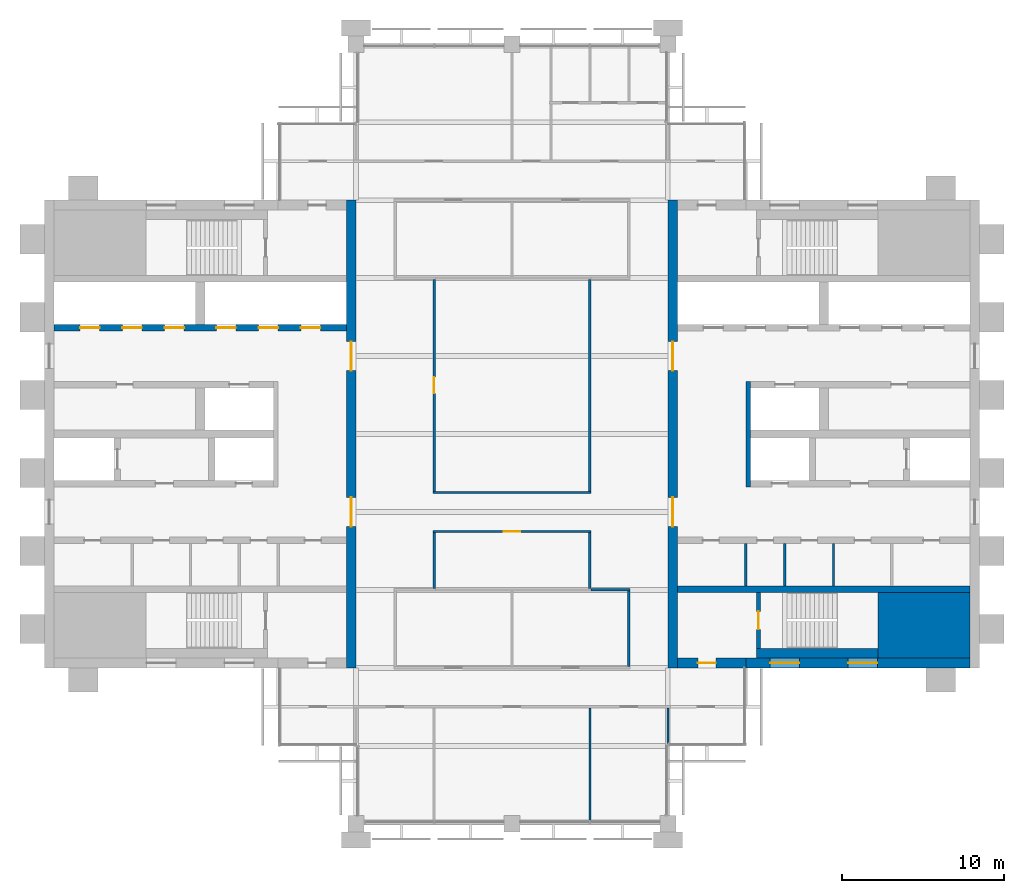
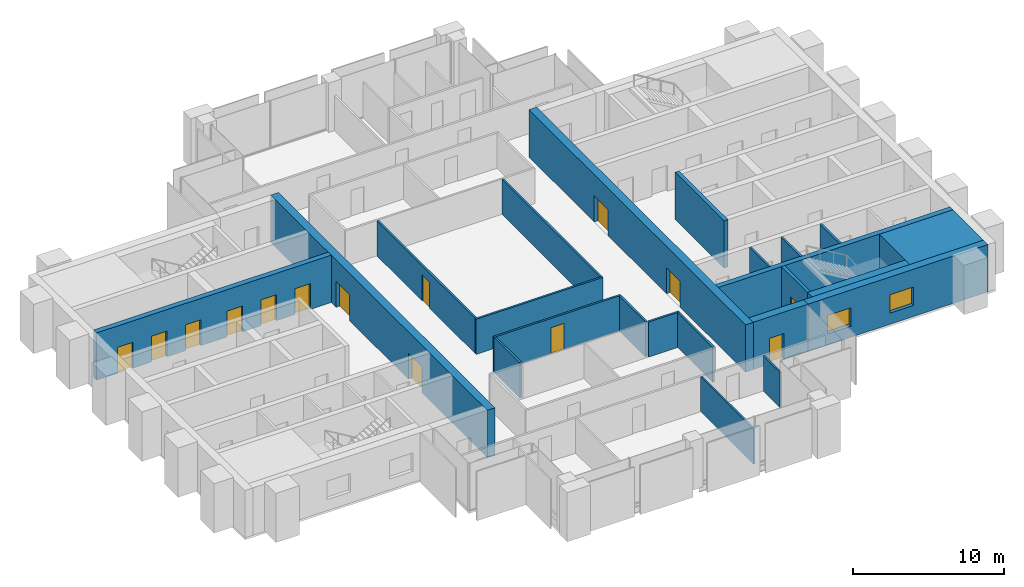
# One storey, part 9 of 13: 23 walls, 14 doors, 2 windows, 16 openings.
"""IFC4 building model written with IfcOpenShell, lengths in metres."""

import ifcopenshell
import ifcopenshell.guid

model = None  # the IFC model being written
_history = None  # IfcOwnerHistory: only IFC2X3 demands one
_inside = {}  # id of a spatial element -> (the spatial element, [elements in it])
_under = {}  # id of a project, library or spatial element -> (it, [spatial elements below it])
_declared = {}  # id of a project -> (the project, [libraries it declares])
_typed = {}  # id of a type object -> (the type object, [elements of that type])
_made_of = {}  # id of a material, layer set ... -> (it, [elements and type objects made of it])


def new_model(schema):
    """Start an empty IFC model of exactly this schema.

    Asked for "IFC4X3", IfcOpenShell would pick the latest addendum, in which some entities
    have other attributes; the version numbers below select the first issue.
    IFC2X3 requires an IfcOwnerHistory on every rooted entity: one is made here for all.
    """
    global model, _history
    if schema == "IFC4X3":
        model = ifcopenshell.file(schema_version=(4, 3, 0, 0))
    else:
        model = ifcopenshell.file(schema=schema)
    _inside.clear()
    _under.clear()
    _declared.clear()
    _typed.clear()
    _made_of.clear()
    _history = None
    if model.schema == "IFC2X3":
        org = make("IfcOrganization", Name="unknown")
        user = make(
            "IfcPersonAndOrganization",
            ThePerson=make("IfcPerson", FamilyName="unknown"),
            TheOrganization=org,
        )
        app = make(
            "IfcApplication",
            ApplicationDeveloper=org,
            Version="unknown",
            ApplicationFullName="unknown",
            ApplicationIdentifier="unknown",
        )
        _history = make(
            "IfcOwnerHistory",
            OwningUser=user,
            OwningApplication=app,
            ChangeAction="ADDED",
            CreationDate=0,
        )
    return model


def make(cls, **values):
    """One entity of the class cls with the attributes given. An attribute that is None is left unset."""
    return model.create_entity(
        cls, **{name: value for name, value in values.items() if value is not None}
    )


def rooted(cls, **values):
    """An entity with a GlobalId (a new one), such as an element, a storey or a relation."""
    return make(cls, GlobalId=ifcopenshell.guid.new(), OwnerHistory=_history, **values)


def si_unit(unit_type, name, prefix=None):
    """IfcSIUnit, for example si_unit("LENGTHUNIT", "METRE", prefix="MILLI")."""
    return make("IfcSIUnit", UnitType=unit_type, Prefix=prefix, Name=name)


def assignment(units):
    """IfcUnitAssignment: the units of a project."""
    return None if units is None else make("IfcUnitAssignment", Units=units)


def point(xyz):
    """IfcCartesianPoint."""
    return None if xyz is None else make("IfcCartesianPoint", Coordinates=xyz)


def direction(xyz):
    """IfcDirection."""
    return None if xyz is None else make("IfcDirection", DirectionRatios=xyz)


def frame(location, z_axis=None, x_axis=None):
    """IfcAxis2Placement3D, a coordinate frame: its origin and axes. An axis left out is left unset."""
    return make(
        "IfcAxis2Placement3D",
        Location=point(location),
        Axis=direction(z_axis),
        RefDirection=direction(x_axis),
    )


def frame_2d(location, x_axis=None):
    """IfcAxis2Placement2D, a coordinate frame in the plane: its origin and x axis."""
    return make(
        "IfcAxis2Placement2D", Location=point(location), RefDirection=direction(x_axis)
    )


def origin():
    """The frame at (0, 0, 0) with its axes left unset."""
    return frame((0.0, 0.0, 0.0))


def place(relative_to, where):
    """IfcLocalPlacement: puts the frame where relative to a parent placement (None: the world)."""
    return make(
        "IfcLocalPlacement", PlacementRelTo=relative_to, RelativePlacement=where
    )


def context(
    kind, dimensions, precision=None, world=None, true_north=None, identifier=None
):
    """IfcGeometricRepresentationContext, for example the 3D "Model" context."""
    return make(
        "IfcGeometricRepresentationContext",
        ContextIdentifier=identifier,
        ContextType=kind,
        CoordinateSpaceDimension=dimensions,
        Precision=precision,
        WorldCoordinateSystem=world,
        TrueNorth=true_north,
    )


def subcontext(parent, identifier, kind, view, scale=None):
    """IfcGeometricRepresentationSubContext, for example "Body" below "Model"."""
    return make(
        "IfcGeometricRepresentationSubContext",
        ContextIdentifier=identifier,
        ContextType=kind,
        ParentContext=parent,
        TargetScale=scale,
        TargetView=view,
    )


def project(units=None, contexts=None):
    """IfcProject with its units and contexts."""
    return rooted(
        "IfcProject",
        Name="project",
        RepresentationContexts=contexts,
        UnitsInContext=assignment(units),
    )


def spatial(cls, under=None, at=None, **own):
    """A site, building, storey or space (cls), placed at a placement, below another one or the project."""
    s = rooted(cls, ObjectPlacement=at, **own)
    if under is not None:
        _under.setdefault(under.id(), (under, []))[1].append(s)
    return s


def profile(cls, at=None, kind="AREA", **sizes):
    """A parametric profile (cls). Its sizes go by their IFC names, for example OverallWidth=200.0."""
    return make(cls, ProfileType=kind, Position=at, **sizes)


def rectangle(**sizes):
    """IfcRectangleProfileDef."""
    return profile("IfcRectangleProfileDef", **sizes)


def extrude(swept, where, along, depth):
    """IfcExtrudedAreaSolid: the profile swept, set in the frame where, extruded along a direction by depth."""
    return make(
        "IfcExtrudedAreaSolid",
        SweptArea=swept,
        Position=where,
        ExtrudedDirection=direction(along),
        Depth=depth,
    )


def shape(context_of_items, identifier, shape_type, items):
    """IfcShapeRepresentation: the items that make up one representation, for example the "Body"."""
    return make(
        "IfcShapeRepresentation",
        ContextOfItems=context_of_items,
        RepresentationIdentifier=identifier,
        RepresentationType=shape_type,
        Items=items,
    )


def material(Name=None, Category=None):
    """IfcMaterial."""
    return make("IfcMaterial", Name=Name, Category=Category)


def layer(
    of_material, thickness, ventilated=None, Name=None, Category=None, Priority=None
):
    """IfcMaterialLayer: one layer of a wall or slab, of a material (None: an air gap)."""
    return make(
        "IfcMaterialLayer",
        Material=of_material,
        LayerThickness=thickness,
        IsVentilated=ventilated,
        Name=Name,
        Category=Category,
        Priority=Priority,
    )


def layer_set(layers, Name=None):
    """IfcMaterialLayerSet."""
    return make("IfcMaterialLayerSet", MaterialLayers=layers, LayerSetName=Name)


def made_of(thing, what):
    """Note that an element or type object is made of a material, layer set ...; save() writes the relation."""
    if what is not None:
        _made_of.setdefault(what.id(), (what, []))[1].append(thing)
    return thing


def type_object(cls, material=None, **own):
    """A type object (cls), such as IfcWallType, which elements share."""
    return made_of(rooted(cls, **own), material)


def element(
    cls,
    number,
    at=None,
    inside=None,
    cuts=None,
    type_object=None,
    material=None,
    context=None,
    identifier="Body",
    shape_type=None,
    held_by="IfcProductDefinitionShape",
    body=None,
    shapes=None,
    **own,
):
    """One element of the class cls, such as IfcWall. Its Tag is "e" and its number.

    at: its placement. inside: the storey or other place that contains it. cuts: it is an
    opening in that element (IfcRelVoidsElement). A single representation is given by context,
    identifier, shape_type and body (its items); several are given by shapes. held_by: the class
    of the entity that holds the representations. save() writes the other relations.
    """
    e = rooted(cls, Tag="e%d" % number, ObjectPlacement=at, **own)
    if body is not None:
        shapes = [shape(context, identifier, shape_type, body)]
    if shapes is not None:
        e.Representation = make(held_by, Representations=shapes)
    if inside is not None:
        _inside.setdefault(inside.id(), (inside, []))[1].append(e)
    if cuts is not None:
        rooted(
            "IfcRelVoidsElement", RelatingBuildingElement=cuts, RelatedOpeningElement=e
        )
    if type_object is not None:
        _typed.setdefault(type_object.id(), (type_object, []))[1].append(e)
    return made_of(e, material)


def fill(opening, filler):
    """IfcRelFillsElement: the door or window that sits in an opening."""
    return rooted(
        "IfcRelFillsElement",
        RelatingOpeningElement=opening,
        RelatedBuildingElement=filler,
    )


def aggregate(whole, parts):
    """IfcRelAggregates: a whole, such as a stair, and the parts it consists of."""
    return rooted("IfcRelAggregates", RelatingObject=whole, RelatedObjects=parts)


def save(model, path):
    """Write the relations noted so far, then the file.

    IfcRelAggregates (storeys below a building ...), IfcRelContainedInSpatialStructure (elements
    in a storey), IfcRelDefinesByType, IfcRelAssociatesMaterial and IfcRelDeclares: one each for
    every whole, place, type object, material and project.
    """
    for whole, parts in _under.values():
        aggregate(whole, parts)
    for where, things in _inside.values():
        rooted(
            "IfcRelContainedInSpatialStructure",
            RelatedElements=things,
            RelatingStructure=where,
        )
    for kind, things in _typed.values():
        rooted("IfcRelDefinesByType", RelatedObjects=things, RelatingType=kind)
    for what, things in _made_of.values():
        rooted("IfcRelAssociatesMaterial", RelatedObjects=things, RelatingMaterial=what)
    for by, libraries in _declared.values():
        rooted("IfcRelDeclares", RelatingContext=by, RelatedDefinitions=libraries)
    model.write(path)


model = new_model("IFC4")

# Units and contexts
model_context = context("Model", 3, precision=1e-05, world=origin(), true_north=direction((0.0, 1.0)))
body_context = subcontext(model_context, "Body", "Model", "MODEL_VIEW")
ifc_project = project(units=[si_unit("LENGTHUNIT", "METRE"), si_unit("AREAUNIT", "SQUARE_METRE"), si_unit("VOLUMEUNIT", "CUBIC_METRE"), si_unit("PLANEANGLEUNIT", "RADIAN"), si_unit("MASSUNIT", "GRAM", prefix="KILO")], contexts=[model_context])

# Site, building, storey
site_placement = place(None, origin())
site = spatial("IfcSite", under=ifc_project, at=site_placement, CompositionType="ELEMENT")
building_placement = place(site_placement, origin())
building = spatial("IfcBuilding", under=site, at=building_placement, Name="Baori Bourse Tower", CompositionType="ELEMENT")
storey_placement = place(building_placement, frame((0.0, 0.0, 334.300048828125)))
storey = spatial("IfcBuildingStorey", under=building, at=storey_placement, Name="L74", CompositionType="ELEMENT", Elevation=334.300048828125)

# Walls
ifc_material_1 = material(Name="Concrete f'c 40 MPa", Category="concrete")
wall_type_1 = type_object("IfcWallType", Name="Core corner block f'c 40", PredefinedType="SHEAR", material=ifc_material_1)
wall_1_placement = place(storey_placement, frame((51.35009765625, 12.22509765625, 0.0), z_axis=(0.0, 0.0, 1.0), x_axis=(1.0, 0.0, 0.0)))
element("IfcWall", 1, at=wall_1_placement, inside=storey, type_object=wall_type_1, Name="Core wall E05", PredefinedType="SHEAR", context=body_context, shape_type="SweptSolid", body=[
    extrude(rectangle(XDim=5.64990234375, YDim=4.050048828125, at=frame_2d((2.824951171875, 0.0))), origin(), (0.0, 0.0, 1.0), 3.83984375),
])
ifc_material_2 = material(Name="Blockwork partition", Category="masonry")
ifc_layer_1 = layer(ifc_material_2, 0.14990234375)
ifc_layer_set_1 = layer_set([ifc_layer_1], Name="Core partition 150")
wall_type_2 = type_object("IfcWallType", Name="Core partition 150", PredefinedType="PARTITIONING", material=ifc_layer_set_1)
for number, where, z_axis, x_axis, name in (
    (2, (48.60009765625, 14.64990234375, 0.0), (0.0, 0.0, 1.0), (0.0, 1.0, 0.0), "Partition wall E10"),
    (3, (45.60009765625, 14.64990234375, 0.0), (0.0, 0.0, 1.0), (0.0, 1.0, 0.0), "Partition wall E11"),
    (4, (43.199951171875, 14.64990234375, 0.0), (0.0, 0.0, 1.0), (0.0, 1.0, 0.0), "Partition wall E12"),
):
    element("IfcWall", number, at=place(storey_placement, frame(where, z_axis=z_axis, x_axis=x_axis)), inside=storey, type_object=wall_type_2, Name=name, PredefinedType="PARTITIONING", context=body_context, shape_type="SweptSolid", body=[
        extrude(rectangle(XDim=2.60009765625, YDim=0.14990234375, at=frame_2d((1.300048828125, 0.0))), origin(), (0.0, 0.0, 1.0), 3.83984375),
    ])

# Wall, openings, doors
ifc_material_3 = material(Name="Concrete f'c 40 MPa", Category="concrete")
ifc_layer_2 = layer(ifc_material_3, 0.60009765625)
ifc_layer_set_2 = layer_set([ifc_layer_2], Name="Core wall 600 f'c 40")
wall_type_3 = type_object("IfcWallType", Name="Core wall 600 f'c 40", PredefinedType="SHEAR", material=ifc_layer_set_2)
wall_2_placement = place(storey_placement, frame((18.89990234375, 38.39990234375, 0.0), z_axis=(0.0, 0.0, 1.0), x_axis=(0.0, -1.0, 0.0)))
wall_2 = element("IfcWall", 5, at=wall_2_placement, inside=storey, type_object=wall_type_3, Name="Core wall W04", PredefinedType="SHEAR", context=body_context, shape_type="SweptSolid", body=[
    extrude(rectangle(XDim=28.7998046875, YDim=0.60009765625, at=frame_2d((14.39990234375, 0.0))), origin(), (0.0, 0.0, 1.0), 3.83984375),
])
opening_1_placement = place(wall_2_placement, frame((18.300048828125, 0.0, 0.0)))
opening_1 = element("IfcOpeningElement", 6, at=opening_1_placement, cuts=wall_2, Name="Opening L74-D107", PredefinedType="OPENING", context=body_context, shape_type="SweptSolid", body=[
    extrude(rectangle(XDim=1.800048828125, YDim=2.10009765625, at=frame_2d((0.89990234375, 1.050048828125))), frame((0.0, 0.31005859375, 0.0), z_axis=(0.0, -1.0, 0.0), x_axis=(1.0, 0.0, 0.0)), (0.0, 0.0, 1.0), 0.6201171875),
])
opening_2_placement = place(wall_2_placement, frame((8.699951171875, 0.0, 0.0)))
opening_2 = element("IfcOpeningElement", 7, at=opening_2_placement, cuts=wall_2, Name="Opening L74-D108", PredefinedType="OPENING", context=body_context, shape_type="SweptSolid", body=[
    extrude(rectangle(XDim=1.800048828125, YDim=2.10009765625, at=frame_2d((0.89990234375, 1.050048828125))), frame((0.0, 0.31005859375, 0.0), z_axis=(0.0, -1.0, 0.0), x_axis=(1.0, 0.0, 0.0)), (0.0, 0.0, 1.0), 0.6201171875),
])
ifc_material_4 = material(Name="Painted steel door", Category="steel")
door_type_1 = type_object("IfcDoorType", Name="Core lobby door 1800", OperationType="DOUBLE_DOOR_SINGLE_SWING", PredefinedType="DOOR", material=ifc_material_4)
door_1_placement = place(opening_1_placement, origin())
door_1 = element("IfcDoor", 8, at=door_1_placement, inside=storey, type_object=door_type_1, Name="Lobby door W L74", OperationType="DOUBLE_DOOR_SINGLE_SWING", OverallHeight=2.10009765625, OverallWidth=1.800048828125, PredefinedType="DOOR", context=body_context, shape_type="SweptSolid", body=[
    extrude(rectangle(XDim=1.800048828125, YDim=2.10009765625, at=frame_2d((0.89990234375, 1.050048828125))), frame((0.0, 0.02490234375, 0.0), z_axis=(0.0, -1.0, 0.0), x_axis=(1.0, 0.0, 0.0)), (0.0, 0.0, 1.0), 0.050048828125),
])
fill(opening_1, door_1)
door_2_placement = place(opening_2_placement, origin())
door_2 = element("IfcDoor", 9, at=door_2_placement, inside=storey, type_object=door_type_1, Name="Lobby door W L74", OperationType="DOUBLE_DOOR_SINGLE_SWING", OverallHeight=2.10009765625, OverallWidth=1.800048828125, PredefinedType="DOOR", context=body_context, shape_type="SweptSolid", body=[
    extrude(rectangle(XDim=1.800048828125, YDim=2.10009765625, at=frame_2d((0.89990234375, 1.050048828125))), frame((0.0, 0.02490234375, 0.0), z_axis=(0.0, -1.0, 0.0), x_axis=(1.0, 0.0, 0.0)), (0.0, 0.0, 1.0), 0.050048828125),
])
fill(opening_2, door_2)

# Wall, openings, windows
wall_3_placement = place(storey_placement, frame((57.0, 9.89990234375, 0.0), z_axis=(0.0, 0.0, 1.0), x_axis=(-1.0, 0.0, 0.0)))
wall_3 = element("IfcWall", 10, at=wall_3_placement, inside=storey, type_object=wall_type_3, Name="Core wall E02", PredefinedType="SHEAR", context=body_context, shape_type="SweptSolid", body=[
    extrude(rectangle(XDim=13.800048828125, YDim=0.60009765625, at=frame_2d((6.89990234375, 0.0))), origin(), (0.0, 0.0, 1.0), 3.83984375),
])
opening_3_placement = place(wall_3_placement, frame((5.699951171875, 0.0, 0.89990234375)))
opening_3 = element("IfcOpeningElement", 11, at=opening_3_placement, cuts=wall_3, Name="Opening L74-KW203", PredefinedType="OPENING", context=body_context, shape_type="SweptSolid", body=[
    extrude(rectangle(XDim=1.800048828125, YDim=1.5, at=frame_2d((0.89990234375, 0.75))), frame((0.0, 0.31005859375, 0.0), z_axis=(0.0, -1.0, 0.0), x_axis=(1.0, 0.0, 0.0)), (0.0, 0.0, 1.0), 0.6201171875),
])
opening_4_placement = place(wall_3_placement, frame((10.5, 0.0, 0.89990234375)))
opening_4 = element("IfcOpeningElement", 12, at=opening_4_placement, cuts=wall_3, Name="Opening L74-KW204", PredefinedType="OPENING", context=body_context, shape_type="SweptSolid", body=[
    extrude(rectangle(XDim=1.800048828125, YDim=1.5, at=frame_2d((0.89990234375, 0.75))), frame((0.0, 0.31005859375, 0.0), z_axis=(0.0, -1.0, 0.0), x_axis=(1.0, 0.0, 0.0)), (0.0, 0.0, 1.0), 0.6201171875),
])
ifc_material_5 = material(Name="Pale anodised aluminium", Category="aluminium")
window_type = type_object("IfcWindowType", Name="Stair window 1800 x 1500", PartitioningType="SINGLE_PANEL", PredefinedType="WINDOW", material=ifc_material_5)
window_1_placement = place(opening_3_placement, origin())
window_1 = element("IfcWindow", 13, at=window_1_placement, inside=storey, type_object=window_type, Name="Stair window E L74 3", OverallHeight=1.5, OverallWidth=1.800048828125, PartitioningType="SINGLE_PANEL", PredefinedType="WINDOW", context=body_context, shape_type="SweptSolid", body=[
    extrude(rectangle(XDim=1.800048828125, YDim=1.5, at=frame_2d((0.89990234375, 0.75))), frame((0.0, 0.030029296875, 0.0), z_axis=(0.0, -1.0, 0.0), x_axis=(1.0, 0.0, 0.0)), (0.0, 0.0, 1.0), 0.06005859375),
])
fill(opening_3, window_1)
window_2_placement = place(opening_4_placement, origin())
window_2 = element("IfcWindow", 14, at=window_2_placement, inside=storey, type_object=window_type, Name="Stair window E L74 4", OverallHeight=1.5, OverallWidth=1.800048828125, PartitioningType="SINGLE_PANEL", PredefinedType="WINDOW", context=body_context, shape_type="SweptSolid", body=[
    extrude(rectangle(XDim=1.800048828125, YDim=1.5, at=frame_2d((0.89990234375, 0.75))), frame((0.0, 0.030029296875, 0.0), z_axis=(0.0, -1.0, 0.0), x_axis=(1.0, 0.0, 0.0)), (0.0, 0.0, 1.0), 0.06005859375),
])
fill(opening_4, window_2)

# Wall, opening, door
wall_4_placement = place(storey_placement, frame((43.199951171875, 9.89990234375, 0.0), z_axis=(0.0, 0.0, 1.0), x_axis=(-1.0, 0.0, 0.0)))
wall_4 = element("IfcWall", 15, at=wall_4_placement, inside=storey, type_object=wall_type_3, Name="Core wall E03", PredefinedType="SHEAR", context=body_context, shape_type="SweptSolid", body=[
    extrude(rectangle(XDim=4.199951171875, YDim=0.60009765625, at=frame_2d((2.10009765625, 0.0))), origin(), (0.0, 0.0, 1.0), 3.83984375),
])
opening_5_placement = place(wall_4_placement, frame((1.85009765625, 0.0, 0.0)))
opening_5 = element("IfcOpeningElement", 16, at=opening_5_placement, cuts=wall_4, Name="Opening L74-D202", PredefinedType="OPENING", context=body_context, shape_type="SweptSolid", body=[
    extrude(rectangle(XDim=1.10009765625, YDim=2.10009765625, at=frame_2d((0.550048828125, 1.050048828125))), frame((0.0, 0.31005859375, 0.0), z_axis=(0.0, -1.0, 0.0), x_axis=(1.0, 0.0, 0.0)), (0.0, 0.0, 1.0), 0.6201171875),
])
ifc_material_6 = material(Name="Painted steel door", Category="steel")
door_type_2 = type_object("IfcDoorType", Name="Stair door 1100", OperationType="SINGLE_SWING_LEFT", PredefinedType="DOOR", material=ifc_material_6)
door_3_placement = place(opening_5_placement, origin())
door_3 = element("IfcDoor", 17, at=door_3_placement, inside=storey, type_object=door_type_2, Name="Stair vestibule door A E L74", OperationType="SINGLE_SWING_LEFT", OverallHeight=2.10009765625, OverallWidth=1.10009765625, PredefinedType="DOOR", context=body_context, shape_type="SweptSolid", body=[
    extrude(rectangle(XDim=1.10009765625, YDim=2.10009765625, at=frame_2d((0.550048828125, 1.050048828125))), frame((0.0, 0.02490234375, 0.0), z_axis=(0.0, -1.0, 0.0), x_axis=(1.0, 0.0, 0.0)), (0.0, 0.0, 1.0), 0.050048828125),
])
fill(opening_5, door_3)

# Wall, openings, doors
wall_5_placement = place(storey_placement, frame((38.699951171875, 9.60009765625, 0.0), z_axis=(0.0, 0.0, 1.0), x_axis=(0.0, 1.0, 0.0)))
wall_5 = element("IfcWall", 18, at=wall_5_placement, inside=storey, type_object=wall_type_3, Name="Core wall E04", PredefinedType="SHEAR", context=body_context, shape_type="SweptSolid", body=[
    extrude(rectangle(XDim=28.7998046875, YDim=0.60009765625, at=frame_2d((14.39990234375, 0.0))), origin(), (0.0, 0.0, 1.0), 3.83984375),
])
opening_6_placement = place(wall_5_placement, frame((8.699951171875, 0.0, 0.0)))
opening_6 = element("IfcOpeningElement", 19, at=opening_6_placement, cuts=wall_5, Name="Opening L74-D207", PredefinedType="OPENING", context=body_context, shape_type="SweptSolid", body=[
    extrude(rectangle(XDim=1.800048828125, YDim=2.10009765625, at=frame_2d((0.89990234375, 1.050048828125))), frame((0.0, 0.31005859375, 0.0), z_axis=(0.0, -1.0, 0.0), x_axis=(1.0, 0.0, 0.0)), (0.0, 0.0, 1.0), 0.6201171875),
])
opening_7_placement = place(wall_5_placement, frame((18.300048828125, 0.0, 0.0)))
opening_7 = element("IfcOpeningElement", 20, at=opening_7_placement, cuts=wall_5, Name="Opening L74-D208", PredefinedType="OPENING", context=body_context, shape_type="SweptSolid", body=[
    extrude(rectangle(XDim=1.800048828125, YDim=2.10009765625, at=frame_2d((0.89990234375, 1.050048828125))), frame((0.0, 0.31005859375, 0.0), z_axis=(0.0, -1.0, 0.0), x_axis=(1.0, 0.0, 0.0)), (0.0, 0.0, 1.0), 0.6201171875),
])
door_4_placement = place(opening_6_placement, origin())
door_4 = element("IfcDoor", 21, at=door_4_placement, inside=storey, type_object=door_type_1, Name="Lobby door E L74", OperationType="DOUBLE_DOOR_SINGLE_SWING", OverallHeight=2.10009765625, OverallWidth=1.800048828125, PredefinedType="DOOR", context=body_context, shape_type="SweptSolid", body=[
    extrude(rectangle(XDim=1.800048828125, YDim=2.10009765625, at=frame_2d((0.89990234375, 1.050048828125))), frame((0.0, 0.02490234375, 0.0), z_axis=(0.0, -1.0, 0.0), x_axis=(1.0, 0.0, 0.0)), (0.0, 0.0, 1.0), 0.050048828125),
])
fill(opening_6, door_4)
door_5_placement = place(opening_7_placement, origin())
door_5 = element("IfcDoor", 22, at=door_5_placement, inside=storey, type_object=door_type_1, Name="Lobby door E L74", OperationType="DOUBLE_DOOR_SINGLE_SWING", OverallHeight=2.10009765625, OverallWidth=1.800048828125, PredefinedType="DOOR", context=body_context, shape_type="SweptSolid", body=[
    extrude(rectangle(XDim=1.800048828125, YDim=2.10009765625, at=frame_2d((0.89990234375, 1.050048828125))), frame((0.0, 0.02490234375, 0.0), z_axis=(0.0, -1.0, 0.0), x_axis=(1.0, 0.0, 0.0)), (0.0, 0.0, 1.0), 0.050048828125),
])
fill(opening_7, door_5)

# Wall
ifc_material_7 = material(Name="Gypsum board partition")
ifc_layer_3 = layer(ifc_material_7, 0.14990234375)
ifc_layer_set_3 = layer_set([ifc_layer_3], Name="Corridor partition 150")
wall_type_4 = type_object("IfcWallType", Name="Corridor partition 150", PredefinedType="PARTITIONING", material=ifc_layer_set_3)
wall_6_placement = place(storey_placement, frame((33.675048828125, 14.39990234375, 0.0), z_axis=(0.0, 0.0, 1.0), x_axis=(1.0, 0.0, 0.0)))
element("IfcWall", 23, at=wall_6_placement, inside=storey, type_object=wall_type_4, Name="Partition", PredefinedType="PARTITIONING", context=body_context, shape_type="SweptSolid", body=[
    extrude(rectangle(XDim=2.39990234375, YDim=0.14990234375, at=frame_2d((1.199951171875, 0.0))), origin(), (0.0, 0.0, 1.0), 2.849365234375),
])

# Wall, opening, door
wall_7_placement = place(storey_placement, frame((23.925048828125, 18.0, 0.0), z_axis=(0.0, 0.0, 1.0), x_axis=(1.0, 0.0, 0.0)))
wall_7 = element("IfcWall", 24, at=wall_7_placement, inside=storey, type_object=wall_type_4, Name="Partition", PredefinedType="PARTITIONING", context=body_context, shape_type="SweptSolid", body=[
    extrude(rectangle(XDim=9.75, YDim=0.14990234375, at=frame_2d((4.875, 0.0))), origin(), (0.0, 0.0, 1.0), 2.849365234375),
])
opening_8_placement = place(wall_7_placement, frame((4.375, 0.0, 0.0)))
opening_8 = element("IfcOpeningElement", 25, at=opening_8_placement, cuts=wall_7, Name="Opening L74-D08", PredefinedType="OPENING", context=body_context, shape_type="SweptSolid", body=[
    extrude(rectangle(XDim=1.0, YDim=2.10009765625, at=frame_2d((0.5, 1.050048828125))), frame((0.0, 0.0849609375, 0.0), z_axis=(0.0, -1.0, 0.0), x_axis=(1.0, 0.0, 0.0)), (0.0, 0.0, 1.0), 0.169921875),
])
ifc_material_8 = material(Name="Timber door leaf", Category="wood")
door_type_3 = type_object("IfcDoorType", Name="Door 1000 x 2100", OperationType="SINGLE_SWING_LEFT", PredefinedType="DOOR", material=ifc_material_8)
door_6_placement = place(opening_8_placement, origin())
door_6 = element("IfcDoor", 26, at=door_6_placement, inside=storey, type_object=door_type_3, Name="Door", OperationType="SINGLE_SWING_RIGHT", OverallHeight=2.10009765625, OverallWidth=1.0, PredefinedType="DOOR", context=body_context, shape_type="SweptSolid", body=[
    extrude(rectangle(XDim=1.0, YDim=2.10009765625, at=frame_2d((0.5, 1.050048828125))), frame((0.0, 0.02490234375, 0.0), z_axis=(0.0, -1.0, 0.0), x_axis=(1.0, 0.0, 0.0)), (0.0, 0.0, 1.0), 0.050048828125),
])
fill(opening_8, door_6)

# Walls
wall_8_placement = place(storey_placement, frame((23.925048828125, 20.39990234375, 0.0), z_axis=(0.0, 0.0, 1.0), x_axis=(1.0, 0.0, 0.0)))
element("IfcWall", 27, at=wall_8_placement, inside=storey, type_object=wall_type_4, Name="Partition", PredefinedType="PARTITIONING", context=body_context, shape_type="SweptSolid", body=[
    extrude(rectangle(XDim=9.75, YDim=0.14990234375, at=frame_2d((4.875, 0.0))), origin(), (0.0, 0.0, 1.0), 2.849365234375),
])
wall_9_placement = place(storey_placement, frame((24.0, 14.47509765625, 0.0), z_axis=(0.0, 0.0, 1.0), x_axis=(0.0, 1.0, 0.0)))
element("IfcWall", 28, at=wall_9_placement, inside=storey, type_object=wall_type_4, Name="Partition", PredefinedType="PARTITIONING", context=body_context, shape_type="SweptSolid", body=[
    extrude(rectangle(XDim=3.449951171875, YDim=0.14990234375, at=frame_2d((1.72509765625, 0.0))), origin(), (0.0, 0.0, 1.0), 2.849365234375),
])

# Wall, opening, door
wall_10_placement = place(storey_placement, frame((24.0, 20.47509765625, 0.0), z_axis=(0.0, 0.0, 1.0), x_axis=(0.0, 1.0, 0.0)))
wall_10 = element("IfcWall", 29, at=wall_10_placement, inside=storey, type_object=wall_type_4, Name="Partition", PredefinedType="PARTITIONING", context=body_context, shape_type="SweptSolid", body=[
    extrude(rectangle(XDim=13.0498046875, YDim=0.14990234375, at=frame_2d((6.52490234375, 0.0))), origin(), (0.0, 0.0, 1.0), 2.849365234375),
])
opening_9_placement = place(wall_10_placement, frame((6.02490234375, 0.0, 0.0)))
opening_9 = element("IfcOpeningElement", 30, at=opening_9_placement, cuts=wall_10, Name="Opening L74-D19", PredefinedType="OPENING", context=body_context, shape_type="SweptSolid", body=[
    extrude(rectangle(XDim=1.0, YDim=2.10009765625, at=frame_2d((0.5, 1.050048828125))), frame((0.0, 0.0849609375, 0.0), z_axis=(0.0, -1.0, 0.0), x_axis=(1.0, 0.0, 0.0)), (0.0, 0.0, 1.0), 0.169921875),
])
door_7_placement = place(opening_9_placement, origin())
door_7 = element("IfcDoor", 31, at=door_7_placement, inside=storey, type_object=door_type_3, Name="Door", OperationType="SINGLE_SWING_LEFT", OverallHeight=2.10009765625, OverallWidth=1.0, PredefinedType="DOOR", context=body_context, shape_type="SweptSolid", body=[
    extrude(rectangle(XDim=1.0, YDim=2.10009765625, at=frame_2d((0.5, 1.050048828125))), frame((0.0, 0.02490234375, 0.0), z_axis=(0.0, -1.0, 0.0), x_axis=(1.0, 0.0, 0.0)), (0.0, 0.0, 1.0), 0.050048828125),
])
fill(opening_9, door_7)

# Walls
wall_11_placement = place(storey_placement, frame((33.60009765625, 14.47509765625, 0.0), z_axis=(0.0, 0.0, 1.0), x_axis=(0.0, 1.0, 0.0)))
element("IfcWall", 32, at=wall_11_placement, inside=storey, type_object=wall_type_4, Name="Partition", PredefinedType="PARTITIONING", context=body_context, shape_type="SweptSolid", body=[
    extrude(rectangle(XDim=3.449951171875, YDim=0.14990234375, at=frame_2d((1.72509765625, 0.0))), origin(), (0.0, 0.0, 1.0), 2.849365234375),
])
wall_12_placement = place(storey_placement, frame((33.60009765625, 20.47509765625, 0.0), z_axis=(0.0, 0.0, 1.0), x_axis=(0.0, 1.0, 0.0)))
element("IfcWall", 33, at=wall_12_placement, inside=storey, type_object=wall_type_4, Name="Partition", PredefinedType="PARTITIONING", context=body_context, shape_type="SweptSolid", body=[
    extrude(rectangle(XDim=13.0498046875, YDim=0.14990234375, at=frame_2d((6.52490234375, 0.0))), origin(), (0.0, 0.0, 1.0), 2.849365234375),
])
wall_13_placement = place(storey_placement, frame((36.0, 9.675048828125, 0.0), z_axis=(0.0, 0.0, 1.0), x_axis=(0.0, 1.0, 0.0)))
element("IfcWall", 34, at=wall_13_placement, inside=storey, type_object=wall_type_4, Name="Partition", PredefinedType="PARTITIONING", context=body_context, shape_type="SweptSolid", body=[
    extrude(rectangle(XDim=4.64990234375, YDim=0.14990234375, at=frame_2d((2.324951171875, 0.0))), origin(), (0.0, 0.0, 1.0), 2.849365234375),
])
ifc_material_9 = material(Name="Gypsum board partition")
ifc_layer_4 = layer(ifc_material_9, 0.125)
ifc_layer_set_4 = layer_set([ifc_layer_4], Name="Partition 125")
wall_type_5 = type_object("IfcWallType", Name="Partition 125", PredefinedType="PARTITIONING", material=ifc_layer_set_4)
wall_14_placement = place(storey_placement, frame((33.60009765625, 0.10009765625, 0.0), z_axis=(0.0, 0.0, 1.0), x_axis=(0.0, 1.0, 0.0)))
element("IfcWall", 35, at=wall_14_placement, inside=storey, type_object=wall_type_5, Name="Partition", PredefinedType="PARTITIONING", context=body_context, shape_type="SweptSolid", body=[
    extrude(rectangle(XDim=7.02490234375, YDim=0.125, at=frame_2d((3.512451171875, 0.0))), origin(), (0.0, 0.0, 1.0), 2.849365234375),
])
wall_15_placement = place(storey_placement, frame((38.39990234375, 4.89990234375, 0.0), z_axis=(0.0, 0.0, 1.0), x_axis=(0.0, 1.0, 0.0)))
element("IfcWall", 36, at=wall_15_placement, inside=storey, type_object=wall_type_5, Name="Partition", PredefinedType="PARTITIONING", context=body_context, shape_type="SweptSolid", body=[
    extrude(rectangle(XDim=2.22509765625, YDim=0.125, at=frame_2d((1.112548828125, 0.0))), origin(), (0.0, 0.0, 1.0), 2.849365234375),
])

# Wall, opening, door
ifc_material_10 = material(Name="Concrete f'c 40 MPa", Category="concrete")
ifc_layer_5 = layer(ifc_material_10, 0.25)
ifc_layer_set_5 = layer_set([ifc_layer_5], Name="Shaft wall 250 f'c 40")
wall_type_6 = type_object("IfcWallType", Name="Shaft wall 250 f'c 40", PredefinedType="SHEAR", material=ifc_layer_set_5)
wall_16_placement = place(storey_placement, frame((43.97509765625, 10.800048828125, 0.0), z_axis=(0.0, 0.0, 1.0), x_axis=(0.0, 1.0, 0.0)))
wall_16 = element("IfcWall", 37, at=wall_16_placement, inside=storey, type_object=wall_type_6, Name="Core wall E07", PredefinedType="SHEAR", context=body_context, shape_type="SweptSolid", body=[
    extrude(rectangle(XDim=3.449951171875, YDim=0.25, at=frame_2d((1.72509765625, 0.0))), origin(), (0.0, 0.0, 1.0), 3.83984375),
])
opening_10_placement = place(wall_16_placement, frame((1.175048828125, 0.0, 0.0)))
opening_10 = element("IfcOpeningElement", 38, at=opening_10_placement, cuts=wall_16, Name="Opening L74-D201", PredefinedType="OPENING", context=body_context, shape_type="SweptSolid", body=[
    extrude(rectangle(XDim=1.10009765625, YDim=2.10009765625, at=frame_2d((0.550048828125, 1.050048828125))), frame((0.0, 0.135009765625, 0.0), z_axis=(0.0, -1.0, 0.0), x_axis=(1.0, 0.0, 0.0)), (0.0, 0.0, 1.0), 0.27001953125),
])
door_8_placement = place(opening_10_placement, origin())
door_8 = element("IfcDoor", 39, at=door_8_placement, inside=storey, type_object=door_type_2, Name="Stair door A E L74", OperationType="SINGLE_SWING_LEFT", OverallHeight=2.10009765625, OverallWidth=1.10009765625, PredefinedType="DOOR", context=body_context, shape_type="SweptSolid", body=[
    extrude(rectangle(XDim=1.10009765625, YDim=2.10009765625, at=frame_2d((0.550048828125, 1.050048828125))), frame((0.0, 0.02490234375, 0.0), z_axis=(0.0, -1.0, 0.0), x_axis=(1.0, 0.0, 0.0)), (0.0, 0.0, 1.0), 0.050048828125),
])
fill(opening_10, door_8)

# Wall
ifc_material_11 = material(Name="Concrete f'c 40 MPa", Category="concrete")
ifc_layer_6 = layer(ifc_material_11, 0.300048828125)
ifc_layer_set_6 = layer_set([ifc_layer_6], Name="Shaft wall 300 f'c 40")
wall_type_7 = type_object("IfcWallType", Name="Shaft wall 300 f'c 40", PredefinedType="SHEAR", material=ifc_layer_set_6)
wall_17_placement = place(storey_placement, frame((43.35009765625, 20.75, 0.0), z_axis=(0.0, 0.0, 1.0), x_axis=(0.0, 1.0, 0.0)))
element("IfcWall", 40, at=wall_17_placement, inside=storey, type_object=wall_type_7, Name="Core wall E15", PredefinedType="SHEAR", context=body_context, shape_type="SweptSolid", body=[
    extrude(rectangle(XDim=6.5, YDim=0.300048828125, at=frame_2d((3.25, 0.0))), origin(), (0.0, 0.0, 1.0), 3.83984375),
])

# Wall, openings, doors
ifc_material_12 = material(Name="Concrete f'c 40 MPa", Category="concrete")
ifc_layer_7 = layer(ifc_material_12, 0.39990234375)
ifc_layer_set_7 = layer_set([ifc_layer_7], Name="Shaft wall 400 f'c 40")
wall_type_8 = type_object("IfcWallType", Name="Shaft wall 400 f'c 40", PredefinedType="SHEAR", material=ifc_layer_set_7)
wall_18_placement = place(storey_placement, frame((0.60009765625, 30.550048828125, 0.0), z_axis=(0.0, 0.0, 1.0), x_axis=(1.0, 0.0, 0.0)))
wall_18 = element("IfcWall", 41, at=wall_18_placement, inside=storey, type_object=wall_type_8, Name="Core wall W21", PredefinedType="SHEAR", context=body_context, shape_type="SweptSolid", body=[
    extrude(rectangle(XDim=18.0, YDim=0.39990234375, at=frame_2d((9.0, 0.0))), origin(), (0.0, 0.0, 1.0), 3.83984375),
])
opening_11_placement = place(wall_18_placement, frame((1.60009765625, 0.0, 0.0)))
opening_11 = element("IfcOpeningElement", 42, at=opening_11_placement, cuts=wall_18, Name="Opening L74-D115", PredefinedType="OPENING", context=body_context, shape_type="SweptSolid", body=[
    extrude(rectangle(XDim=1.199951171875, YDim=2.10009765625, at=frame_2d((0.60009765625, 1.050048828125))), frame((0.0, 0.2099609375, 0.0), z_axis=(0.0, -1.0, 0.0), x_axis=(1.0, 0.0, 0.0)), (0.0, 0.0, 1.0), 0.419921875),
])
opening_12_placement = place(wall_18_placement, frame((4.199951171875, 0.0, 0.0)))
opening_12 = element("IfcOpeningElement", 43, at=opening_12_placement, cuts=wall_18, Name="Opening L74-D116", PredefinedType="OPENING", context=body_context, shape_type="SweptSolid", body=[
    extrude(rectangle(XDim=1.199951171875, YDim=2.10009765625, at=frame_2d((0.60009765625, 1.050048828125))), frame((0.0, 0.2099609375, 0.0), z_axis=(0.0, -1.0, 0.0), x_axis=(1.0, 0.0, 0.0)), (0.0, 0.0, 1.0), 0.419921875),
])
opening_13_placement = place(wall_18_placement, frame((6.800048828125, 0.0, 0.0)))
opening_13 = element("IfcOpeningElement", 44, at=opening_13_placement, cuts=wall_18, Name="Opening L74-D117", PredefinedType="OPENING", context=body_context, shape_type="SweptSolid", body=[
    extrude(rectangle(XDim=1.199951171875, YDim=2.10009765625, at=frame_2d((0.60009765625, 1.050048828125))), frame((0.0, 0.2099609375, 0.0), z_axis=(0.0, -1.0, 0.0), x_axis=(1.0, 0.0, 0.0)), (0.0, 0.0, 1.0), 0.419921875),
])
opening_14_placement = place(wall_18_placement, frame((10.0, 0.0, 0.0)))
opening_14 = element("IfcOpeningElement", 45, at=opening_14_placement, cuts=wall_18, Name="Opening L74-D118", PredefinedType="OPENING", context=body_context, shape_type="SweptSolid", body=[
    extrude(rectangle(XDim=1.199951171875, YDim=2.10009765625, at=frame_2d((0.60009765625, 1.050048828125))), frame((0.0, 0.2099609375, 0.0), z_axis=(0.0, -1.0, 0.0), x_axis=(1.0, 0.0, 0.0)), (0.0, 0.0, 1.0), 0.419921875),
])
opening_15_placement = place(wall_18_placement, frame((12.60009765625, 0.0, 0.0)))
opening_15 = element("IfcOpeningElement", 46, at=opening_15_placement, cuts=wall_18, Name="Opening L74-D119", PredefinedType="OPENING", context=body_context, shape_type="SweptSolid", body=[
    extrude(rectangle(XDim=1.199951171875, YDim=2.10009765625, at=frame_2d((0.60009765625, 1.050048828125))), frame((0.0, 0.2099609375, 0.0), z_axis=(0.0, -1.0, 0.0), x_axis=(1.0, 0.0, 0.0)), (0.0, 0.0, 1.0), 0.419921875),
])
opening_16_placement = place(wall_18_placement, frame((15.199951171875, 0.0, 0.0)))
opening_16 = element("IfcOpeningElement", 47, at=opening_16_placement, cuts=wall_18, Name="Opening L74-D120", PredefinedType="OPENING", context=body_context, shape_type="SweptSolid", body=[
    extrude(rectangle(XDim=1.199951171875, YDim=2.10009765625, at=frame_2d((0.60009765625, 1.050048828125))), frame((0.0, 0.2099609375, 0.0), z_axis=(0.0, -1.0, 0.0), x_axis=(1.0, 0.0, 0.0)), (0.0, 0.0, 1.0), 0.419921875),
])
ifc_material_13 = material(Name="Stainless steel door", Category="steel")
door_type_4 = type_object("IfcDoorType", Name="Lift landing door", OperationType="DOUBLE_DOOR_SLIDING", PredefinedType="DOOR", material=ifc_material_13)
door_9_placement = place(opening_11_placement, origin())
door_9 = element("IfcDoor", 48, at=door_9_placement, inside=storey, type_object=door_type_4, Name="Lift landing door HR1 W L74", OperationType="DOUBLE_DOOR_SLIDING", OverallHeight=2.10009765625, OverallWidth=1.199951171875, PredefinedType="DOOR", context=body_context, shape_type="SweptSolid", body=[
    extrude(rectangle(XDim=1.199951171875, YDim=2.10009765625, at=frame_2d((0.60009765625, 1.050048828125))), frame((0.0, 0.02490234375, 0.0), z_axis=(0.0, -1.0, 0.0), x_axis=(1.0, 0.0, 0.0)), (0.0, 0.0, 1.0), 0.050048828125),
])
fill(opening_11, door_9)
door_10_placement = place(opening_12_placement, origin())
door_10 = element("IfcDoor", 49, at=door_10_placement, inside=storey, type_object=door_type_4, Name="Lift landing door HR2 W L74", OperationType="DOUBLE_DOOR_SLIDING", OverallHeight=2.10009765625, OverallWidth=1.199951171875, PredefinedType="DOOR", context=body_context, shape_type="SweptSolid", body=[
    extrude(rectangle(XDim=1.199951171875, YDim=2.10009765625, at=frame_2d((0.60009765625, 1.050048828125))), frame((0.0, 0.02490234375, 0.0), z_axis=(0.0, -1.0, 0.0), x_axis=(1.0, 0.0, 0.0)), (0.0, 0.0, 1.0), 0.050048828125),
])
fill(opening_12, door_10)
door_11_placement = place(opening_13_placement, origin())
door_11 = element("IfcDoor", 50, at=door_11_placement, inside=storey, type_object=door_type_4, Name="Lift landing door HR3 W L74", OperationType="DOUBLE_DOOR_SLIDING", OverallHeight=2.10009765625, OverallWidth=1.199951171875, PredefinedType="DOOR", context=body_context, shape_type="SweptSolid", body=[
    extrude(rectangle(XDim=1.199951171875, YDim=2.10009765625, at=frame_2d((0.60009765625, 1.050048828125))), frame((0.0, 0.02490234375, 0.0), z_axis=(0.0, -1.0, 0.0), x_axis=(1.0, 0.0, 0.0)), (0.0, 0.0, 1.0), 0.050048828125),
])
fill(opening_13, door_11)
door_12_placement = place(opening_14_placement, origin())
door_12 = element("IfcDoor", 51, at=door_12_placement, inside=storey, type_object=door_type_4, Name="Lift landing door HR4 W L74", OperationType="DOUBLE_DOOR_SLIDING", OverallHeight=2.10009765625, OverallWidth=1.199951171875, PredefinedType="DOOR", context=body_context, shape_type="SweptSolid", body=[
    extrude(rectangle(XDim=1.199951171875, YDim=2.10009765625, at=frame_2d((0.60009765625, 1.050048828125))), frame((0.0, 0.02490234375, 0.0), z_axis=(0.0, -1.0, 0.0), x_axis=(1.0, 0.0, 0.0)), (0.0, 0.0, 1.0), 0.050048828125),
])
fill(opening_14, door_12)
door_13_placement = place(opening_15_placement, origin())
door_13 = element("IfcDoor", 52, at=door_13_placement, inside=storey, type_object=door_type_4, Name="Lift landing door HR5 W L74", OperationType="DOUBLE_DOOR_SLIDING", OverallHeight=2.10009765625, OverallWidth=1.199951171875, PredefinedType="DOOR", context=body_context, shape_type="SweptSolid", body=[
    extrude(rectangle(XDim=1.199951171875, YDim=2.10009765625, at=frame_2d((0.60009765625, 1.050048828125))), frame((0.0, 0.02490234375, 0.0), z_axis=(0.0, -1.0, 0.0), x_axis=(1.0, 0.0, 0.0)), (0.0, 0.0, 1.0), 0.050048828125),
])
fill(opening_15, door_13)
door_14_placement = place(opening_16_placement, origin())
door_14 = element("IfcDoor", 53, at=door_14_placement, inside=storey, type_object=door_type_4, Name="Lift landing door HR6 W L74", OperationType="DOUBLE_DOOR_SLIDING", OverallHeight=2.10009765625, OverallWidth=1.199951171875, PredefinedType="DOOR", context=body_context, shape_type="SweptSolid", body=[
    extrude(rectangle(XDim=1.199951171875, YDim=2.10009765625, at=frame_2d((0.60009765625, 1.050048828125))), frame((0.0, 0.02490234375, 0.0), z_axis=(0.0, -1.0, 0.0), x_axis=(1.0, 0.0, 0.0)), (0.0, 0.0, 1.0), 0.050048828125),
])
fill(opening_16, door_14)

# Walls
wall_19_placement = place(storey_placement, frame((39.0, 14.449951171875, 0.0), z_axis=(0.0, 0.0, 1.0), x_axis=(1.0, 0.0, 0.0)))
element("IfcWall", 54, at=wall_19_placement, inside=storey, type_object=wall_type_8, Name="Core wall E08", PredefinedType="SHEAR", context=body_context, shape_type="SweptSolid", body=[
    extrude(rectangle(XDim=18.0, YDim=0.39990234375, at=frame_2d((9.0, 0.0))), origin(), (0.0, 0.0, 1.0), 3.83984375),
])
ifc_material_14 = material(Name="Concrete f'c 40 MPa", Category="concrete")
ifc_layer_8 = layer(ifc_material_14, 0.60009765625)
ifc_layer_set_8 = layer_set([ifc_layer_8], Name="Shaft wall 600 f'c 40")
wall_type_9 = type_object("IfcWallType", Name="Shaft wall 600 f'c 40", PredefinedType="SHEAR", material=ifc_layer_set_8)
wall_20_placement = place(storey_placement, frame((43.85009765625, 10.5, 0.0), z_axis=(0.0, 0.0, 1.0), x_axis=(1.0, 0.0, 0.0)))
element("IfcWall", 55, at=wall_20_placement, inside=storey, type_object=wall_type_9, Name="Core wall E06", PredefinedType="SHEAR", context=body_context, shape_type="SweptSolid", body=[
    extrude(rectangle(XDim=7.5, YDim=0.60009765625, at=frame_2d((3.75, 0.0))), origin(), (0.0, 0.0, 1.0), 3.83984375),
])

save(model, "model.ifc")
